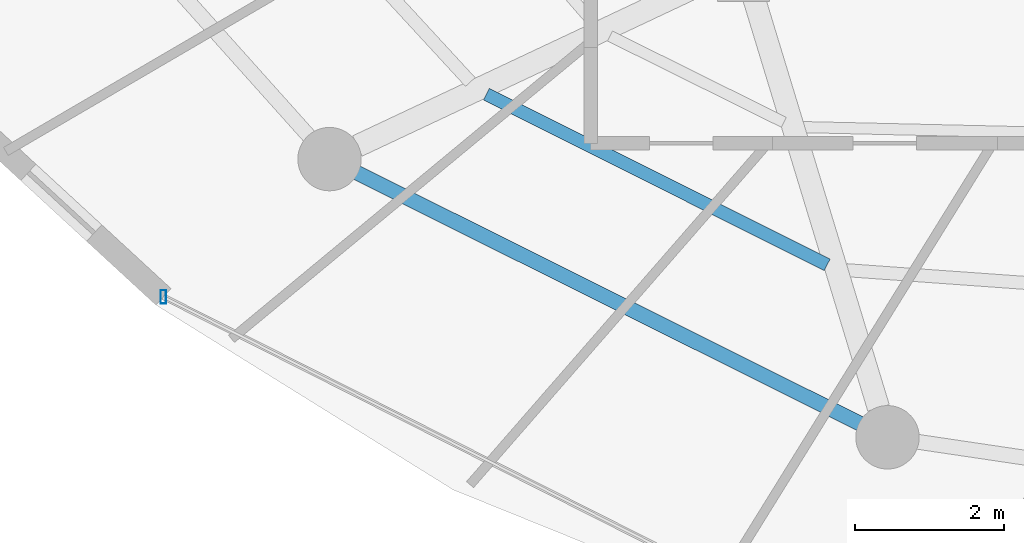
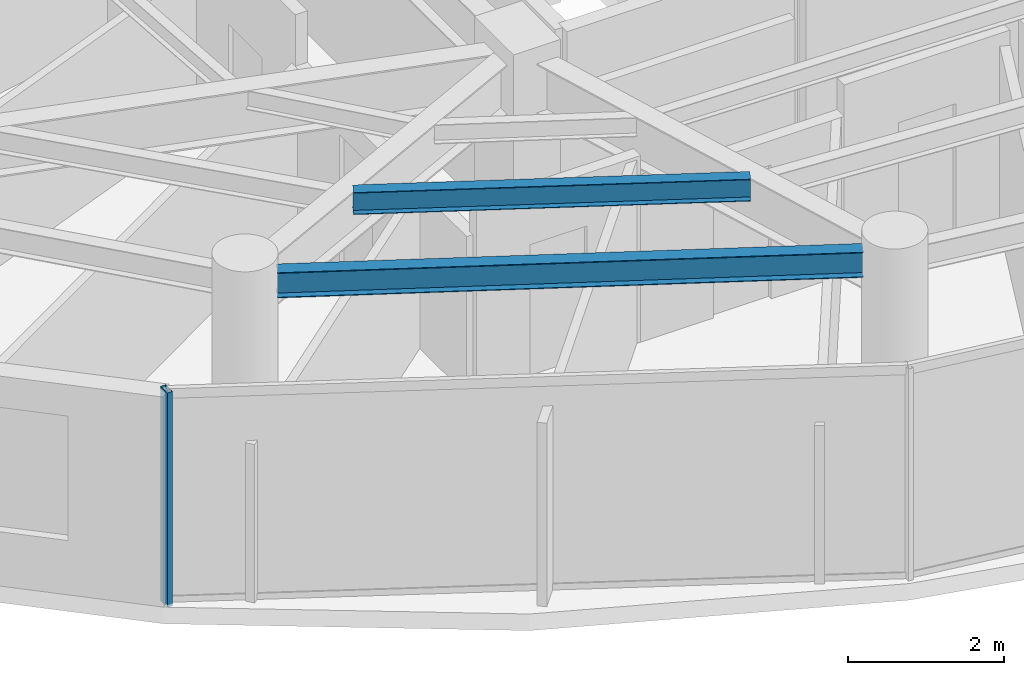
# One storey, part 2 of 30: 2 beams, 1 member, 1 element without a shape of its own.
"""IFC4 building model written with IfcOpenShell, lengths in metres."""

from ifc_helpers import new_model, si_unit, direction, frame, origin, origin_2d, place, context, subcontext, project, spatial, hollow_rectangle, i_section, extrude, material, material_profile, profile_set, type_object, element, aggregate, save


model = new_model("IFC4")

# Units and contexts
model_context = context("Model", 3, precision=1e-05, world=origin(), true_north=direction((0.0, 1.0)))
body_context = subcontext(model_context, "Body", "Model", "MODEL_VIEW")
ifc_project = project(units=[si_unit("LENGTHUNIT", "METRE"), si_unit("AREAUNIT", "SQUARE_METRE"), si_unit("VOLUMEUNIT", "CUBIC_METRE"), si_unit("PLANEANGLEUNIT", "RADIAN"), si_unit("MASSUNIT", "GRAM", prefix="KILO")], contexts=[model_context])

# Site, building, storey
site_placement = place(None, origin())
site = spatial("IfcSite", under=ifc_project, at=site_placement, CompositionType="ELEMENT")
building_placement = place(site_placement, origin())
building = spatial("IfcBuilding", under=site, at=building_placement, Name="Vorneva Point Tower", CompositionType="ELEMENT")
storey_placement = place(building_placement, frame((0.0, 0.0, 241.35009765625)))
storey = spatial("IfcBuildingStorey", under=building, at=storey_placement, Name="L65", CompositionType="ELEMENT", Elevation=241.35009765625)

# Beams
ifc_material_1 = material(Name="Steel S355", Category="steel")
ifc_material_profile_1 = material_profile(ifc_material_1, i_section(OverallWidth=0.174072265625, OverallDepth=0.345947265625, WebThickness=0.006103515625, FlangeThickness=0.009033203125, at=origin_2d()), Name="35B1")
ifc_profile_set_1 = profile_set([ifc_material_profile_1], Name="Steel S355")
beam_type_1 = type_object("IfcBeamType", Name="BM-SEC-35B1", PredefinedType="BEAM", material=ifc_profile_set_1)
beam_1_placement = place(storey_placement, frame((23.8046875, 14.7080078125, 3.116943359375), z_axis=(0.894121037804, -0.447825378643, 0.0), x_axis=(0.447825378643, 0.894121037804, 0.0)))
element("IfcBeam", 1, at=beam_1_placement, inside=storey, type_object=beam_type_1, Name="L65 Secondary Floor Beam 1.11", PredefinedType="BEAM", context=body_context, shape_type="SweptSolid", body=[
    extrude(i_section(OverallWidth=0.174072265625, OverallDepth=0.345947265625, WebThickness=0.006103515625, FlangeThickness=0.009033203125, at=origin_2d()), origin(), (0.0, 0.0, 1.0), 5.107177734375),
])
ifc_material_profile_2 = material_profile(ifc_material_1, i_section(OverallWidth=0.198974609375, OverallDepth=0.39599609375, WebThickness=0.007080078125, FlangeThickness=0.010986328125, at=origin_2d()), Name="40B1")
ifc_profile_set_2 = profile_set([ifc_material_profile_2], Name="Steel S355")
beam_type_2 = type_object("IfcBeamType", Name="BM-SPN-40B1", PredefinedType="SPANDREL", material=ifc_profile_set_2)
beam_2_placement = place(storey_placement, frame((22.068115234375, 13.65478515625, 3.091796875), z_axis=(0.894932011528, -0.446202526599, 0.0), x_axis=(0.446202526599, 0.894932011528, 0.0)))
element("IfcBeam", 2, at=beam_2_placement, inside=storey, type_object=beam_type_2, Name="L65 Perimeter Spandrel Ring Beam 11", PredefinedType="SPANDREL", context=body_context, shape_type="SweptSolid", body=[
    extrude(i_section(OverallWidth=0.198974609375, OverallDepth=0.39599609375, WebThickness=0.007080078125, FlangeThickness=0.010986328125, at=origin_2d()), origin(), (0.0, 0.0, 1.0), 7.535888671875),
])

# Curtain wall, member
ifc_material_2 = material(Name="Pale anodised aluminium", Category="aluminium")
curtain_wall_type = type_object("IfcCurtainWallType", Name="CW-RES-SYS", PredefinedType="NOTDEFINED", material=ifc_material_2)
curtain_wall_placement = place(storey_placement, origin())
curtain_wall = element("IfcCurtainWall", 3, at=curtain_wall_placement, inside=storey, type_object=curtain_wall_type, Name="L65 Unitised Curtain Wall CW-L65-R04", PredefinedType="NOTDEFINED")
ifc_material_profile_3 = material_profile(ifc_material_2, hollow_rectangle(XDim=0.074951171875, YDim=0.179931640625, WallThickness=0.00390625, at=origin_2d()), Name="AL-MUL 180x75x4")
ifc_profile_set_3 = profile_set([ifc_material_profile_3], Name="Pale anodised aluminium")
member_type = type_object("IfcMemberType", Name="CW-MUL-180", PredefinedType="MULLION", material=ifc_profile_set_3)
member_placement = place(storey_placement, frame((19.473876953125, 11.9921875, -0.0400390625), z_axis=(0.0, 0.0, 1.0), x_axis=(1.0, 0.0, 0.0)))
member = element("IfcMember", 4, at=member_placement, type_object=member_type, Name="CW-L65-R04 Mullion 01", PredefinedType="MULLION", context=body_context, shape_type="SweptSolid", body=[
    extrude(hollow_rectangle(XDim=0.074951171875, YDim=0.179931640625, WallThickness=0.00390625, at=origin_2d()), origin(), (0.0, 0.0, 1.0), 3.35986328125),
])
aggregate(curtain_wall, [member])

save(model, "model.ifc")
